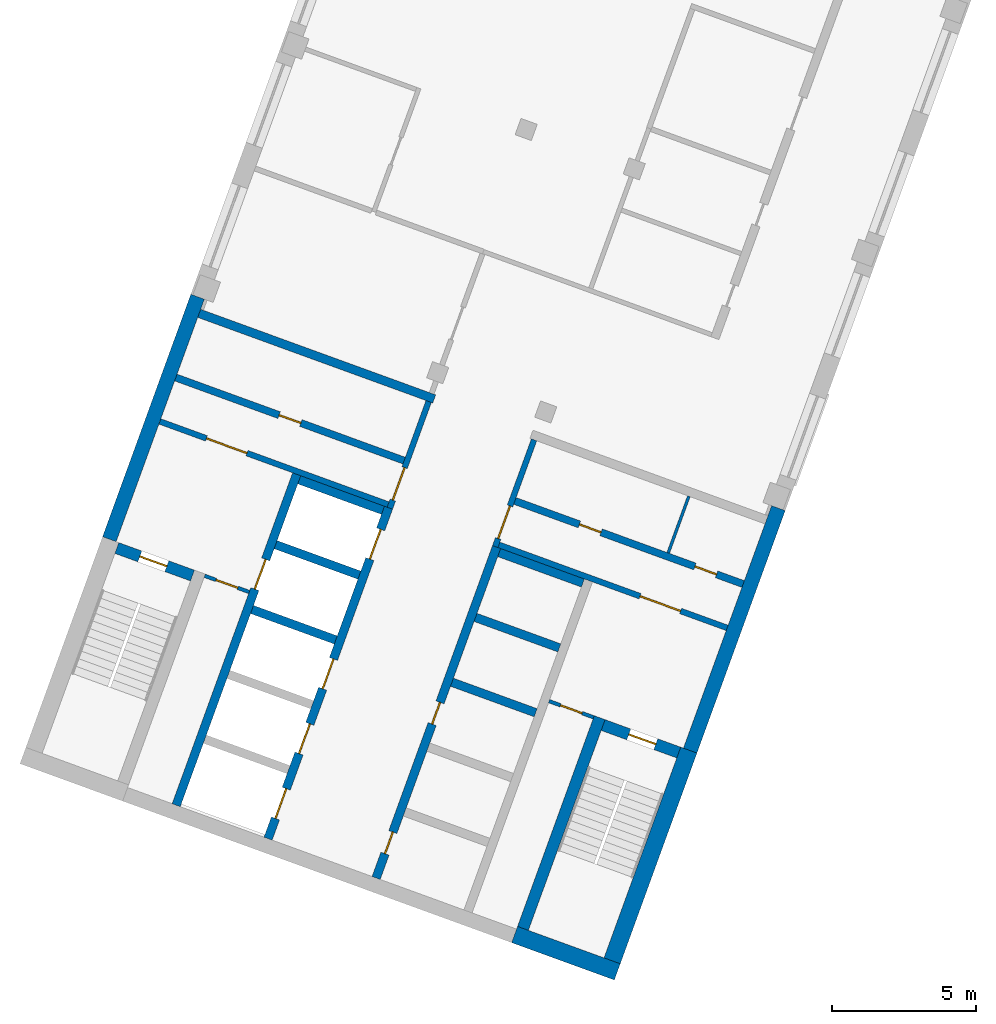
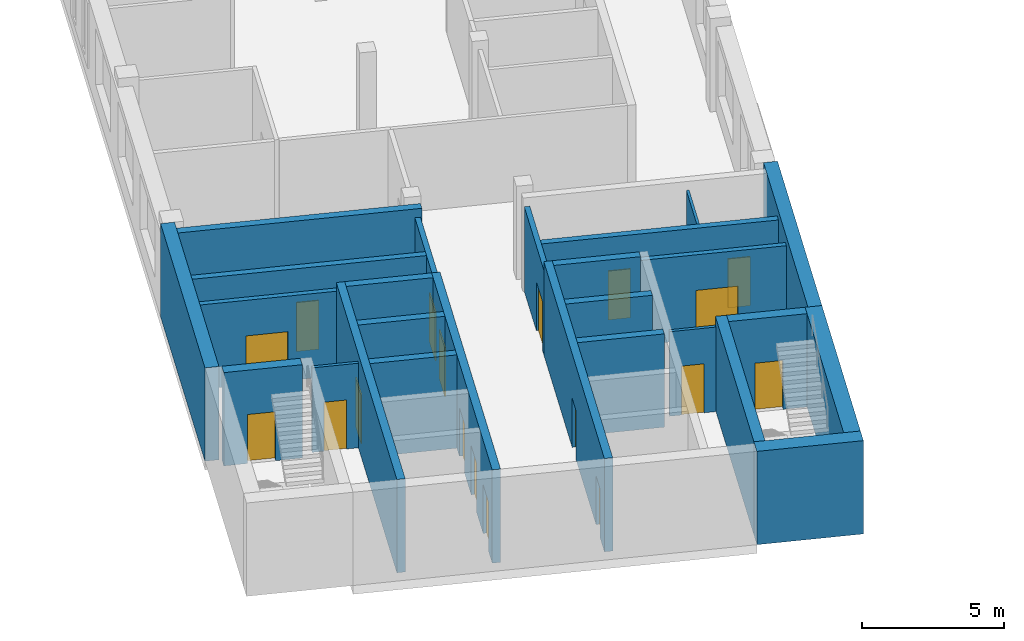
# One storey, part 2 of 8: 26 walls, 18 doors, 18 openings.
"""IFC4 building model written with IfcOpenShell, lengths in metres."""

from ifc_helpers import new_model, si_unit, direction, frame, frame_2d, origin, place, context, subcontext, project, spatial, rectangle, extrude, material, layer, layer_set, type_object, element, fill, save


model = new_model("IFC4")

# Units and contexts
model_context = context("Model", 3, precision=1e-05, world=origin(), true_north=direction((0.0, 1.0)))
body_context = subcontext(model_context, "Body", "Model", "MODEL_VIEW")
ifc_project = project(units=[si_unit("LENGTHUNIT", "METRE"), si_unit("AREAUNIT", "SQUARE_METRE"), si_unit("VOLUMEUNIT", "CUBIC_METRE"), si_unit("PLANEANGLEUNIT", "RADIAN"), si_unit("MASSUNIT", "GRAM", prefix="KILO")], contexts=[model_context])

# Site, building, storey
site_placement = place(None, origin())
site = spatial("IfcSite", under=ifc_project, at=site_placement, CompositionType="ELEMENT")
building_placement = place(site_placement, origin())
building = spatial("IfcBuilding", under=site, at=building_placement, Name="Skarvind Civic Tower", CompositionType="ELEMENT")
storey_placement = place(building_placement, frame((0.0, 0.0, 220.0)))
storey = spatial("IfcBuildingStorey", under=building, at=storey_placement, Name="L52", CompositionType="ELEMENT", Elevation=220.0)

# Wall, opening, door
ifc_material_1 = material(Name="Fire-rated masonry partition", Category="masonry")
ifc_layer_1 = layer(ifc_material_1, 0.199951171875)
ifc_layer_set_1 = layer_set([ifc_layer_1], Name="Core enclosure wall 200")
wall_type_1 = type_object("IfcWallType", Name="Core enclosure wall 200", PredefinedType="PARTITIONING", material=ifc_layer_set_1)
wall_1_placement = place(storey_placement, frame((31.42724609375, 93.663330078125, 0.0), z_axis=(0.0, 0.0, 1.0), x_axis=(0.342030870568, 0.93968871632, 0.0)))
wall_1 = element("IfcWall", 1, at=wall_1_placement, inside=storey, type_object=wall_type_1, Name="Core wall C2", PredefinedType="PARTITIONING", context=body_context, shape_type="SweptSolid", body=[
    extrude(rectangle(XDim=3.9501953125, YDim=0.199951171875, at=frame_2d((1.97509765625, 0.0))), origin(), (0.0, 0.0, 1.0), 3.625),
])
opening_1_placement = place(wall_1_placement, frame((0.300048828125, 0.0, 0.0)))
opening_1 = element("IfcOpeningElement", 2, at=opening_1_placement, cuts=wall_1, Name="Opening D-L52-C2-07", PredefinedType="OPENING", context=body_context, shape_type="SweptSolid", body=[
    extrude(rectangle(XDim=1.199951171875, YDim=2.10009765625, at=frame_2d((0.60009765625, 1.050048828125))), frame((0.0, 0.10986328125, 0.0), z_axis=(0.0, -1.0, 0.0), x_axis=(1.0, 0.0, 0.0)), (0.0, 0.0, 1.0), 0.219970703125),
])
ifc_material_2 = material(Name="Fire-rated steel door", Category="steel")
door_type_1 = type_object("IfcDoorType", Name="Core lobby door 1200", OperationType="NOTDEFINED", PredefinedType="DOOR", material=ifc_material_2)
door_1_placement = place(opening_1_placement, origin())
door_1 = element("IfcDoor", 3, at=door_1_placement, inside=storey, type_object=door_type_1, Name="Fire door", OperationType="DOUBLE_DOOR_SINGLE_SWING", OverallHeight=2.10009765625, OverallWidth=1.199951171875, PredefinedType="DOOR", context=body_context, shape_type="SweptSolid", body=[
    extrude(rectangle(XDim=1.199951171875, YDim=2.10009765625, at=frame_2d((0.60009765625, 1.050048828125))), frame((0.0, 0.02490234375, 0.0), z_axis=(0.0, -1.0, 0.0), x_axis=(1.0, 0.0, 0.0)), (0.0, 0.0, 1.0), 0.050048828125),
])
fill(opening_1, door_1)

wall_2_placement = place(storey_placement, frame((23.42724609375, 96.681640625, 0.0), z_axis=(0.0, 0.0, 1.0), x_axis=(0.939690465531, -0.342026064782, 0.0)))
wall_2 = element("IfcWall", 4, at=wall_2_placement, inside=storey, type_object=wall_type_1, Name="Core wall C2", PredefinedType="PARTITIONING", context=body_context, shape_type="SweptSolid", body=[
    extrude(rectangle(XDim=8.449951171875, YDim=0.199951171875, at=frame_2d((4.22509765625, 0.0))), origin(), (0.0, 0.0, 1.0), 3.625),
])
opening_2_placement = place(wall_2_placement, frame((1.72509765625, 0.0, 0.0)))
opening_2 = element("IfcOpeningElement", 5, at=opening_2_placement, cuts=wall_2, Name="Opening D-L52-C2-08", PredefinedType="OPENING", context=body_context, shape_type="SweptSolid", body=[
    extrude(rectangle(XDim=1.5, YDim=2.10009765625, at=frame_2d((0.75, 1.050048828125))), frame((0.0, 0.10986328125, 0.0), z_axis=(0.0, -1.0, 0.0), x_axis=(1.0, 0.0, 0.0)), (0.0, 0.0, 1.0), 0.219970703125),
])
door_type_2 = type_object("IfcDoorType", Name="Fire door 1500", OperationType="NOTDEFINED", PredefinedType="DOOR", material=ifc_material_2)
door_2_placement = place(opening_2_placement, origin())
door_2 = element("IfcDoor", 6, at=door_2_placement, inside=storey, type_object=door_type_2, Name="Fire door", OperationType="DOUBLE_DOOR_SINGLE_SWING", OverallHeight=2.10009765625, OverallWidth=1.5, PredefinedType="DOOR", context=body_context, shape_type="SweptSolid", body=[
    extrude(rectangle(XDim=1.5, YDim=2.10009765625, at=frame_2d((0.75, 1.050048828125))), frame((0.0, 0.02490234375, 0.0), z_axis=(0.0, -1.0, 0.0), x_axis=(1.0, 0.0, 0.0)), (0.0, 0.0, 1.0), 0.050048828125),
])
fill(opening_2, door_2)

wall_3_placement = place(storey_placement, frame((36.443115234375, 96.041259765625, 0.0), z_axis=(0.0, 0.0, 1.0), x_axis=(-0.341996156931, -0.939701350773, 0.0)))
wall_3 = element("IfcWall", 7, at=wall_3_placement, inside=storey, type_object=wall_type_1, Name="Core wall C2", PredefinedType="PARTITIONING", context=body_context, shape_type="SweptSolid", body=[
    extrude(rectangle(XDim=3.949951171875, YDim=0.199951171875, at=frame_2d((1.97509765625, 0.0))), origin(), (0.0, 0.0, 1.0), 3.625),
])
opening_3_placement = place(wall_3_placement, frame((2.449951171875, 0.0, 0.0)))
opening_3 = element("IfcOpeningElement", 8, at=opening_3_placement, cuts=wall_3, Name="Opening D-L52-C2-12", PredefinedType="OPENING", context=body_context, shape_type="SweptSolid", body=[
    extrude(rectangle(XDim=1.199951171875, YDim=2.10009765625, at=frame_2d((0.60009765625, 1.050048828125))), frame((0.0, 0.10986328125, 0.0), z_axis=(0.0, -1.0, 0.0), x_axis=(1.0, 0.0, 0.0)), (0.0, 0.0, 1.0), 0.219970703125),
])
door_3_placement = place(opening_3_placement, origin())
door_3 = element("IfcDoor", 9, at=door_3_placement, inside=storey, type_object=door_type_1, Name="Fire door", OperationType="DOUBLE_DOOR_SINGLE_SWING", OverallHeight=2.10009765625, OverallWidth=1.199951171875, PredefinedType="DOOR", context=body_context, shape_type="SweptSolid", body=[
    extrude(rectangle(XDim=1.199951171875, YDim=2.10009765625, at=frame_2d((0.60009765625, 1.050048828125))), frame((0.0, 0.02490234375, 0.0), z_axis=(0.0, -1.0, 0.0), x_axis=(1.0, 0.0, 0.0)), (0.0, 0.0, 1.0), 0.050048828125),
])
fill(opening_3, door_3)

wall_4_placement = place(storey_placement, frame((35.22021484375, 92.389404296875, 0.0), z_axis=(0.0, 0.0, 1.0), x_axis=(0.939690465531, -0.342026064782, 0.0)))
wall_4 = element("IfcWall", 10, at=wall_4_placement, inside=storey, type_object=wall_type_1, Name="Core wall C2", PredefinedType="PARTITIONING", context=body_context, shape_type="SweptSolid", body=[
    extrude(rectangle(XDim=8.449951171875, YDim=0.199951171875, at=frame_2d((4.22509765625, 0.0))), origin(), (0.0, 0.0, 1.0), 3.625),
])
opening_4_placement = place(wall_4_placement, frame((5.22509765625, 0.0, 0.0)))
opening_4 = element("IfcOpeningElement", 11, at=opening_4_placement, cuts=wall_4, Name="Opening D-L52-C2-13", PredefinedType="OPENING", context=body_context, shape_type="SweptSolid", body=[
    extrude(rectangle(XDim=1.5, YDim=2.10009765625, at=frame_2d((0.75, 1.050048828125))), frame((0.0, 0.10986328125, 0.0), z_axis=(0.0, -1.0, 0.0), x_axis=(1.0, 0.0, 0.0)), (0.0, 0.0, 1.0), 0.219970703125),
])
door_4_placement = place(opening_4_placement, origin())
door_4 = element("IfcDoor", 12, at=door_4_placement, inside=storey, type_object=door_type_2, Name="Fire door", OperationType="DOUBLE_DOOR_SINGLE_SWING", OverallHeight=2.10009765625, OverallWidth=1.5, PredefinedType="DOOR", context=body_context, shape_type="SweptSolid", body=[
    extrude(rectangle(XDim=1.5, YDim=2.10009765625, at=frame_2d((0.75, 1.050048828125))), frame((0.0, 0.02490234375, 0.0), z_axis=(0.0, -1.0, 0.0), x_axis=(1.0, 0.0, 0.0)), (0.0, 0.0, 1.0), 0.050048828125),
])
fill(opening_4, door_4)

# Wall
ifc_material_3 = material(Name="Fire-rated plasterboard partition")
ifc_layer_2 = layer(ifc_material_3, 0.10009765625)
ifc_layer_set_2 = layer_set([ifc_layer_2], Name="Core partition wall 100")
wall_type_2 = type_object("IfcWallType", Name="Core partition wall 100", PredefinedType="PARTITIONING", material=ifc_layer_set_2)
wall_5_placement = place(storey_placement, frame((41.82763671875, 94.08154296875, 0.0), z_axis=(0.0, 0.0, 1.0), x_axis=(-0.342023078919, -0.939691552312, 0.0)))
element("IfcWall", 13, at=wall_5_placement, inside=storey, type_object=wall_type_2, Name="Core wall C2", PredefinedType="PARTITIONING", context=body_context, shape_type="SweptSolid", body=[
    extrude(rectangle(XDim=2.10009765625, YDim=0.10009765625, at=frame_2d((1.050048828125, 0.0))), origin(), (0.0, 0.0, 1.0), 3.625),
])

# Wall, openings, doors
ifc_material_4 = material(Name="Concrete C60", Category="concrete")
ifc_layer_3 = layer(ifc_material_4, 0.300048828125)
ifc_layer_set_3 = layer_set([ifc_layer_3], Name="Core wall 300 C60")
wall_type_3 = type_object("IfcWallType", Name="Core wall 300 C60", PredefinedType="SHEAR", material=ifc_layer_set_3)
wall_6_placement = place(storey_placement, frame((30.949462890625, 80.80126953125, 0.0), z_axis=(0.0, 0.0, 1.0), x_axis=(0.342016684409, 0.939693879721, 0.0)))
wall_6 = element("IfcWall", 14, at=wall_6_placement, inside=storey, type_object=wall_type_3, Name="Core wall C2 south lift row front L52", PredefinedType="SHEAR", context=body_context, shape_type="SweptSolid", body=[
    extrude(rectangle(XDim=12.25, YDim=0.300048828125, at=frame_2d((6.125, 0.0))), origin(), (0.0, 0.0, 1.0), 4.0),
])
opening_5_placement = place(wall_6_placement, frame((0.89990234375, 0.0, 0.0)))
opening_5 = element("IfcOpeningElement", 15, at=opening_5_placement, cuts=wall_6, Name="Opening D-L52-C2-05", PredefinedType="OPENING", context=body_context, shape_type="SweptSolid", body=[
    extrude(rectangle(XDim=0.800048828125, YDim=2.10009765625, at=frame_2d((0.39990234375, 1.050048828125))), frame((0.0, 0.159912109375, 0.0), z_axis=(0.0, -1.0, 0.0), x_axis=(1.0, 0.0, 0.0)), (0.0, 0.0, 1.0), 0.320068359375),
])
opening_6_placement = place(wall_6_placement, frame((5.699951171875, 0.0, 0.0)))
opening_6 = element("IfcOpeningElement", 16, at=opening_6_placement, cuts=wall_6, Name="Opening D-L52-C2-06", PredefinedType="OPENING", context=body_context, shape_type="SweptSolid", body=[
    extrude(rectangle(XDim=0.800048828125, YDim=2.10009765625, at=frame_2d((0.39990234375, 1.050048828125))), frame((0.0, 0.159912109375, 0.0), z_axis=(0.0, -1.0, 0.0), x_axis=(1.0, 0.0, 0.0)), (0.0, 0.0, 1.0), 0.320068359375),
])
door_type_3 = type_object("IfcDoorType", Name="Core riser door 800", OperationType="NOTDEFINED", PredefinedType="DOOR", material=ifc_material_2)
door_5_placement = place(opening_5_placement, origin())
door_5 = element("IfcDoor", 17, at=door_5_placement, inside=storey, type_object=door_type_3, Name="Riser door", OperationType="SINGLE_SWING_LEFT", OverallHeight=2.10009765625, OverallWidth=0.800048828125, PredefinedType="DOOR", context=body_context, shape_type="SweptSolid", body=[
    extrude(rectangle(XDim=0.800048828125, YDim=2.10009765625, at=frame_2d((0.39990234375, 1.050048828125))), frame((0.0, 0.02490234375, 0.0), z_axis=(0.0, -1.0, 0.0), x_axis=(1.0, 0.0, 0.0)), (0.0, 0.0, 1.0), 0.050048828125),
])
fill(opening_5, door_5)
door_6_placement = place(opening_6_placement, origin())
door_6 = element("IfcDoor", 18, at=door_6_placement, inside=storey, type_object=door_type_3, Name="Riser door", OperationType="SINGLE_SWING_RIGHT", OverallHeight=2.10009765625, OverallWidth=0.800048828125, PredefinedType="DOOR", context=body_context, shape_type="SweptSolid", body=[
    extrude(rectangle(XDim=0.800048828125, YDim=2.10009765625, at=frame_2d((0.39990234375, 1.050048828125))), frame((0.0, 0.02490234375, 0.0), z_axis=(0.0, -1.0, 0.0), x_axis=(1.0, 0.0, 0.0)), (0.0, 0.0, 1.0), 0.050048828125),
])
fill(opening_6, door_6)

# Walls
for number, where, z_axis, x_axis, name in (
    (19, (36.500244140625, 86.54931640625, 0.0), (0.0, 0.0, 1.0), (-0.939689908313, 0.342027595692, 0.0), "Core wall C2 south lift row division 3 L52"),
    (20, (37.321044921875, 88.8046875, 0.0), (0.0, 0.0, 1.0), (-0.939689908313, 0.342027595692, 0.0), "Core wall C2 south lift row division 4 L52"),
    (21, (38.141845703125, 91.059814453125, 0.0), (0.0, 0.0, 1.0), (-0.939689908313, 0.342027595692, 0.0), "Core wall C2 south lift row division 5 L52"),
):
    element("IfcWall", number, at=place(storey_placement, frame(where, z_axis=z_axis, x_axis=x_axis)), inside=storey, type_object=wall_type_3, Name=name, PredefinedType="SHEAR", context=body_context, shape_type="SweptSolid", body=[
        extrude(rectangle(XDim=3.10009765625, YDim=0.300048828125, at=frame_2d((1.550048828125, 0.0))), origin(), (0.0, 0.0, 1.0), 4.0),
    ])

# Wall, openings, doors
wall_7_placement = place(storey_placement, frame((27.190673828125, 82.169189453125, 0.0), z_axis=(0.0, 0.0, 1.0), x_axis=(0.342016684409, 0.939693879721, 0.0)))
wall_7 = element("IfcWall", 22, at=wall_7_placement, inside=storey, type_object=wall_type_3, Name="Core wall C2 north lift row front L52", PredefinedType="SHEAR", context=body_context, shape_type="SweptSolid", body=[
    extrude(rectangle(XDim=12.25, YDim=0.300048828125, at=frame_2d((6.125, 0.0))), origin(), (0.0, 0.0, 1.0), 4.0),
])
opening_7_placement = place(wall_7_placement, frame((0.75, 0.0, 0.0)))
opening_7 = element("IfcOpeningElement", 23, at=opening_7_placement, cuts=wall_7, Name="Opening LD54201", PredefinedType="OPENING", context=body_context, shape_type="SweptSolid", body=[
    extrude(rectangle(XDim=1.10009765625, YDim=2.10009765625, at=frame_2d((0.550048828125, 1.050048828125))), frame((0.0, 0.159912109375, 0.0), z_axis=(0.0, -1.0, 0.0), x_axis=(1.0, 0.0, 0.0)), (0.0, 0.0, 1.0), 0.320068359375),
])
opening_8_placement = place(wall_7_placement, frame((3.14990234375, 0.0, 0.0)))
opening_8 = element("IfcOpeningElement", 24, at=opening_8_placement, cuts=wall_7, Name="Opening LD54202", PredefinedType="OPENING", context=body_context, shape_type="SweptSolid", body=[
    extrude(rectangle(XDim=1.10009765625, YDim=2.10009765625, at=frame_2d((0.550048828125, 1.050048828125))), frame((0.0, 0.159912109375, 0.0), z_axis=(0.0, -1.0, 0.0), x_axis=(1.0, 0.0, 0.0)), (0.0, 0.0, 1.0), 0.320068359375),
])
opening_9_placement = place(wall_7_placement, frame((5.550048828125, 0.0, 0.0)))
opening_9 = element("IfcOpeningElement", 25, at=opening_9_placement, cuts=wall_7, Name="Opening LD54203", PredefinedType="OPENING", context=body_context, shape_type="SweptSolid", body=[
    extrude(rectangle(XDim=1.10009765625, YDim=2.10009765625, at=frame_2d((0.550048828125, 1.050048828125))), frame((0.0, 0.159912109375, 0.0), z_axis=(0.0, -1.0, 0.0), x_axis=(1.0, 0.0, 0.0)), (0.0, 0.0, 1.0), 0.320068359375),
])
opening_10_placement = place(wall_7_placement, frame((10.35009765625, 0.0, 0.0)))
opening_10 = element("IfcOpeningElement", 26, at=opening_10_placement, cuts=wall_7, Name="Opening LD54205", PredefinedType="OPENING", context=body_context, shape_type="SweptSolid", body=[
    extrude(rectangle(XDim=1.10009765625, YDim=2.10009765625, at=frame_2d((0.550048828125, 1.050048828125))), frame((0.0, 0.159912109375, 0.0), z_axis=(0.0, -1.0, 0.0), x_axis=(1.0, 0.0, 0.0)), (0.0, 0.0, 1.0), 0.320068359375),
])
ifc_material_5 = material(Name="Stainless steel landing door", Category="steel")
door_type_4 = type_object("IfcDoorType", Name="Lift landing door 1100", OperationType="DOUBLE_DOOR_SLIDING", PredefinedType="DOOR", material=ifc_material_5)
door_7_placement = place(opening_7_placement, origin())
door_7 = element("IfcDoor", 27, at=door_7_placement, inside=storey, type_object=door_type_4, Name="Lift landing door", OperationType="DOUBLE_DOOR_SLIDING", OverallHeight=2.10009765625, OverallWidth=1.10009765625, PredefinedType="DOOR", context=body_context, shape_type="SweptSolid", body=[
    extrude(rectangle(XDim=1.10009765625, YDim=2.10009765625, at=frame_2d((0.550048828125, 1.050048828125))), frame((0.0, 0.02490234375, 0.0), z_axis=(0.0, -1.0, 0.0), x_axis=(1.0, 0.0, 0.0)), (0.0, 0.0, 1.0), 0.050048828125),
])
fill(opening_7, door_7)
door_8_placement = place(opening_8_placement, origin())
door_8 = element("IfcDoor", 28, at=door_8_placement, inside=storey, type_object=door_type_4, Name="Lift landing door", OperationType="DOUBLE_DOOR_SLIDING", OverallHeight=2.10009765625, OverallWidth=1.10009765625, PredefinedType="DOOR", context=body_context, shape_type="SweptSolid", body=[
    extrude(rectangle(XDim=1.10009765625, YDim=2.10009765625, at=frame_2d((0.550048828125, 1.050048828125))), frame((0.0, 0.02490234375, 0.0), z_axis=(0.0, -1.0, 0.0), x_axis=(1.0, 0.0, 0.0)), (0.0, 0.0, 1.0), 0.050048828125),
])
fill(opening_8, door_8)
door_9_placement = place(opening_9_placement, origin())
door_9 = element("IfcDoor", 29, at=door_9_placement, inside=storey, type_object=door_type_4, Name="Lift landing door", OperationType="DOUBLE_DOOR_SLIDING", OverallHeight=2.10009765625, OverallWidth=1.10009765625, PredefinedType="DOOR", context=body_context, shape_type="SweptSolid", body=[
    extrude(rectangle(XDim=1.10009765625, YDim=2.10009765625, at=frame_2d((0.550048828125, 1.050048828125))), frame((0.0, 0.02490234375, 0.0), z_axis=(0.0, -1.0, 0.0), x_axis=(1.0, 0.0, 0.0)), (0.0, 0.0, 1.0), 0.050048828125),
])
fill(opening_9, door_9)
door_10_placement = place(opening_10_placement, origin())
door_10 = element("IfcDoor", 30, at=door_10_placement, inside=storey, type_object=door_type_4, Name="Lift landing door", OperationType="DOUBLE_DOOR_SLIDING", OverallHeight=2.10009765625, OverallWidth=1.10009765625, PredefinedType="DOOR", context=body_context, shape_type="SweptSolid", body=[
    extrude(rectangle(XDim=1.10009765625, YDim=2.10009765625, at=frame_2d((0.550048828125, 1.050048828125))), frame((0.0, 0.02490234375, 0.0), z_axis=(0.0, -1.0, 0.0), x_axis=(1.0, 0.0, 0.0)), (0.0, 0.0, 1.0), 0.050048828125),
])
fill(opening_10, door_10)

# Wall, opening, door
wall_8_placement = place(storey_placement, frame((23.99560546875, 83.33203125, 0.0), z_axis=(0.0, 0.0, 1.0), x_axis=(0.342016684409, 0.939693879721, 0.0)))
wall_8 = element("IfcWall", 31, at=wall_8_placement, inside=storey, type_object=wall_type_3, Name="Core wall C2 north lift row back L52", PredefinedType="SHEAR", context=body_context, shape_type="SweptSolid", body=[
    extrude(rectangle(XDim=12.25, YDim=0.300048828125, at=frame_2d((6.125, 0.0))), origin(), (0.0, 0.0, 1.0), 4.0),
])
opening_11_placement = place(wall_8_placement, frame((8.0, 0.0, 0.0)))
opening_11 = element("IfcOpeningElement", 32, at=opening_11_placement, cuts=wall_8, Name="Opening LD54204", PredefinedType="OPENING", context=body_context, shape_type="SweptSolid", body=[
    extrude(rectangle(XDim=1.10009765625, YDim=2.10009765625, at=frame_2d((0.550048828125, 1.050048828125))), frame((0.0, 0.159912109375, 0.0), z_axis=(0.0, -1.0, 0.0), x_axis=(1.0, 0.0, 0.0)), (0.0, 0.0, 1.0), 0.320068359375),
])
door_11_placement = place(opening_11_placement, origin())
door_11 = element("IfcDoor", 33, at=door_11_placement, inside=storey, type_object=door_type_4, Name="Lift landing door", OperationType="DOUBLE_DOOR_SLIDING", OverallHeight=2.10009765625, OverallWidth=1.10009765625, PredefinedType="DOOR", context=body_context, shape_type="SweptSolid", body=[
    extrude(rectangle(XDim=1.10009765625, YDim=2.10009765625, at=frame_2d((0.550048828125, 1.050048828125))), frame((0.0, 0.02490234375, 0.0), z_axis=(0.0, -1.0, 0.0), x_axis=(1.0, 0.0, 0.0)), (0.0, 0.0, 1.0), 0.050048828125),
])
fill(opening_11, door_11)

# Walls
wall_9_placement = place(storey_placement, frame((29.54638671875, 89.080322265625, 0.0), z_axis=(0.0, 0.0, 1.0), x_axis=(-0.939689908313, 0.342027595692, 0.0)))
element("IfcWall", 34, at=wall_9_placement, inside=storey, type_object=wall_type_3, Name="Core wall C2 north lift row division 3 L52", PredefinedType="SHEAR", context=body_context, shape_type="SweptSolid", body=[
    extrude(rectangle(XDim=3.10009765625, YDim=0.300048828125, at=frame_2d((1.550048828125, 0.0))), origin(), (0.0, 0.0, 1.0), 4.0),
])
for number, where, z_axis, x_axis, name in (
    (35, (30.3671875, 91.335693359375, 0.0), (0.0, 0.0, 1.0), (-0.939715217871, 0.341958051961, 0.0), "Core wall C2 north lift row division 4 L52"),
    (36, (31.18798828125, 93.5908203125, 0.0), (0.0, 0.0, 1.0), (-0.939680694448, 0.342052908892, 0.0), "Core wall C2 north lift row division 5 L52"),
):
    element("IfcWall", number, at=place(storey_placement, frame(where, z_axis=z_axis, x_axis=x_axis)), inside=storey, type_object=wall_type_3, Name=name, PredefinedType="SHEAR", context=body_context, shape_type="SweptSolid", body=[
        extrude(rectangle(XDim=3.099853515625, YDim=0.300048828125, at=frame_2d((1.5498046875, 0.0))), origin(), (0.0, 0.0, 1.0), 4.0),
    ])
wall_10_placement = place(storey_placement, frame((32.970703125, 97.46484375, 0.0), z_axis=(0.0, 0.0, 1.0), x_axis=(-0.939695066972, 0.34201342241, 0.0)))
element("IfcWall", 37, at=wall_10_placement, inside=storey, type_object=wall_type_3, Name="Core wall C2 north inner face L52", PredefinedType="SHEAR", context=body_context, shape_type="SweptSolid", body=[
    extrude(rectangle(XDim=8.7001953125, YDim=0.300048828125, at=frame_2d((4.35009765625, 0.0))), origin(), (0.0, 0.0, 1.0), 4.0),
])
ifc_layer_4 = layer(ifc_material_4, 0.39990234375)
ifc_layer_set_4 = layer_set([ifc_layer_4], Name="Core wall 400 C60")
wall_type_4 = type_object("IfcWallType", Name="Core wall 400 C60", PredefinedType="SHEAR", material=ifc_layer_set_4)
wall_11_placement = place(storey_placement, frame((36.057861328125, 79.04833984375, 0.0), z_axis=(0.0, 0.0, 1.0), x_axis=(0.342016982193, 0.939693771338, 0.0)))
element("IfcWall", 38, at=wall_11_placement, inside=storey, type_object=wall_type_4, Name="Core wall C2 south stair inner L52", PredefinedType="SHEAR", context=body_context, shape_type="SweptSolid", body=[
    extrude(rectangle(XDim=7.800048828125, YDim=0.39990234375, at=frame_2d((3.89990234375, 0.0))), origin(), (0.0, 0.0, 1.0), 4.0),
])

# Wall, opening, door
wall_12_placement = place(storey_placement, frame((41.476318359375, 85.163818359375, 0.0), z_axis=(0.0, 0.0, 1.0), x_axis=(-0.939678810556, 0.342058084236, 0.0)))
wall_12 = element("IfcWall", 39, at=wall_12_placement, inside=storey, type_object=wall_type_4, Name="Core wall C2 south stair end L52", PredefinedType="SHEAR", context=body_context, shape_type="SweptSolid", body=[
    extrude(rectangle(XDim=2.800048828125, YDim=0.39990234375, at=frame_2d((1.39990234375, 0.0))), origin(), (0.0, 0.0, 1.0), 4.0),
])
opening_12_placement = place(wall_12_placement, frame((0.85009765625, 0.0, 0.0)))
opening_12 = element("IfcOpeningElement", 40, at=opening_12_placement, cuts=wall_12, Name="Opening D-L52-C2-14", PredefinedType="OPENING", context=body_context, shape_type="SweptSolid", body=[
    extrude(rectangle(XDim=1.0, YDim=2.10009765625, at=frame_2d((0.5, 1.050048828125))), frame((0.0, 0.2099609375, 0.0), z_axis=(0.0, -1.0, 0.0), x_axis=(1.0, 0.0, 0.0)), (0.0, 0.0, 1.0), 0.419921875),
])
door_type_5 = type_object("IfcDoorType", Name="Fire door 1000", OperationType="NOTDEFINED", PredefinedType="DOOR", material=ifc_material_2)
door_12_placement = place(opening_12_placement, origin())
door_12 = element("IfcDoor", 41, at=door_12_placement, inside=storey, type_object=door_type_5, Name="Fire door", OperationType="SINGLE_SWING_RIGHT", OverallHeight=2.10009765625, OverallWidth=1.0, PredefinedType="DOOR", context=body_context, shape_type="SweptSolid", body=[
    extrude(rectangle(XDim=1.0, YDim=2.10009765625, at=frame_2d((0.5, 1.050048828125))), frame((0.0, 0.02490234375, 0.0), z_axis=(0.0, -1.0, 0.0), x_axis=(1.0, 0.0, 0.0)), (0.0, 0.0, 1.0), 0.050048828125),
])
fill(opening_12, door_12)

wall_13_placement = place(storey_placement, frame((24.56201171875, 91.3203125, 0.0), z_axis=(0.0, 0.0, 1.0), x_axis=(-0.939717030584, 0.341953070509, 0.0)))
wall_13 = element("IfcWall", 42, at=wall_13_placement, inside=storey, type_object=wall_type_4, Name="Core wall C2 north stair end L52", PredefinedType="SHEAR", context=body_context, shape_type="SweptSolid", body=[
    extrude(rectangle(XDim=2.800048828125, YDim=0.39990234375, at=frame_2d((1.39990234375, 0.0))), origin(), (0.0, 0.0, 1.0), 4.0),
])
opening_13_placement = place(wall_13_placement, frame((0.949951171875, 0.0, 0.0)))
opening_13 = element("IfcOpeningElement", 43, at=opening_13_placement, cuts=wall_13, Name="Opening D-L52-C2-09", PredefinedType="OPENING", context=body_context, shape_type="SweptSolid", body=[
    extrude(rectangle(XDim=1.0, YDim=2.10009765625, at=frame_2d((0.5, 1.050048828125))), frame((0.0, 0.2099609375, 0.0), z_axis=(0.0, -1.0, 0.0), x_axis=(1.0, 0.0, 0.0)), (0.0, 0.0, 1.0), 0.419921875),
])
door_13_placement = place(opening_13_placement, origin())
door_13 = element("IfcDoor", 44, at=door_13_placement, inside=storey, type_object=door_type_5, Name="Fire door", OperationType="SINGLE_SWING_LEFT", OverallHeight=2.10009765625, OverallWidth=1.0, PredefinedType="DOOR", context=body_context, shape_type="SweptSolid", body=[
    extrude(rectangle(XDim=1.0, YDim=2.10009765625, at=frame_2d((0.5, 1.050048828125))), frame((0.0, 0.02490234375, 0.0), z_axis=(0.0, -1.0, 0.0), x_axis=(1.0, 0.0, 0.0)), (0.0, 0.0, 1.0), 0.050048828125),
])
fill(opening_13, door_13)

# Walls
ifc_layer_5 = layer(ifc_material_4, 0.5)
ifc_layer_set_5 = layer_set([ifc_layer_5], Name="Core wall 500 C60")
wall_type_5 = type_object("IfcWallType", Name="Core wall 500 C60", PredefinedType="SHEAR", material=ifc_layer_set_5)
wall_14_placement = place(storey_placement, frame((41.873779296875, 85.232177734375, 0.0), z_axis=(0.0, 0.0, 1.0), x_axis=(0.342020437038, 0.939692513883, 0.0)))
element("IfcWall", 45, at=wall_14_placement, inside=storey, type_object=wall_type_5, Name="Core wall C2 south side L52", PredefinedType="SHEAR", context=body_context, shape_type="SweptSolid", body=[
    extrude(rectangle(XDim=8.974853515625, YDim=0.5, at=frame_2d((4.4873046875, 0.0))), origin(), (0.0, 0.0, 1.0), 4.0),
])
wall_15_placement = place(storey_placement, frame((21.670166015625, 92.58544921875, 0.0), z_axis=(0.0, 0.0, 1.0), x_axis=(0.342035714298, 0.93968695327, 0.0)))
element("IfcWall", 46, at=wall_15_placement, inside=storey, type_object=wall_type_5, Name="Core wall C2 north side L52", PredefinedType="SHEAR", context=body_context, shape_type="SweptSolid", body=[
    extrude(rectangle(XDim=8.97509765625, YDim=0.5, at=frame_2d((4.487548828125, 0.0))), origin(), (0.0, 0.0, 1.0), 4.0),
])
ifc_layer_6 = layer(ifc_material_4, 0.60009765625)
ifc_layer_set_6 = layer_set([ifc_layer_6], Name="Core wall 600 C60")
wall_type_6 = type_object("IfcWallType", Name="Core wall 600 C60", PredefinedType="SHEAR", material=ifc_layer_set_6)
wall_16_placement = place(storey_placement, frame((39.338134765625, 77.53515625, 0.0), z_axis=(0.0, 0.0, 1.0), x_axis=(-0.939701471648, 0.341995824804, 0.0)))
element("IfcWall", 47, at=wall_16_placement, inside=storey, type_object=wall_type_6, Name="Core wall C2 tip at the south stair L52", PredefinedType="SHEAR", context=body_context, shape_type="SweptSolid", body=[
    extrude(rectangle(XDim=3.800048828125, YDim=0.60009765625, at=frame_2d((1.89990234375, 0.0))), origin(), (0.0, 0.0, 1.0), 4.0),
])
wall_17_placement = place(storey_placement, frame((39.158935546875, 77.919677734375, 0.0), z_axis=(0.0, 0.0, 1.0), x_axis=(0.342016982193, 0.939693771338, 0.0)))
element("IfcWall", 48, at=wall_17_placement, inside=storey, type_object=wall_type_6, Name="Core wall C2 south side at the stair L52", PredefinedType="SHEAR", context=body_context, shape_type="SweptSolid", body=[
    extrude(rectangle(XDim=7.800048828125, YDim=0.60009765625, at=frame_2d((3.89990234375, 0.0))), origin(), (0.0, 0.0, 1.0), 4.0),
])

# Wall, opening, door
ifc_layer_7 = layer(ifc_material_1, 0.125)
ifc_layer_set_7 = layer_set([ifc_layer_7], Name="Riser wall 125")
wall_type_7 = type_object("IfcWallType", Name="Riser wall 125", PredefinedType="PARTITIONING", material=ifc_layer_set_7)
wall_18_placement = place(storey_placement, frame((24.98486328125, 91.3125, 0.0), z_axis=(0.0, 0.0, 1.0), x_axis=(0.939719959755, -0.341945020783, 0.0)))
wall_18 = element("IfcWall", 49, at=wall_18_placement, inside=storey, type_object=wall_type_7, Name="Core wall C2", PredefinedType="PARTITIONING", context=body_context, shape_type="SweptSolid", body=[
    extrude(rectangle(XDim=1.64990234375, YDim=0.125, at=frame_2d((0.824951171875, 0.0))), origin(), (0.0, 0.0, 1.0), 3.625),
])
opening_14_placement = place(wall_18_placement, frame((0.425048828125, 0.0, 0.0)))
opening_14 = element("IfcOpeningElement", 50, at=opening_14_placement, cuts=wall_18, Name="Opening D-L52-C2-10", PredefinedType="OPENING", context=body_context, shape_type="SweptSolid", body=[
    extrude(rectangle(XDim=0.800048828125, YDim=2.10009765625, at=frame_2d((0.39990234375, 1.050048828125))), frame((0.0, 0.072509765625, 0.0), z_axis=(0.0, -1.0, 0.0), x_axis=(1.0, 0.0, 0.0)), (0.0, 0.0, 1.0), 0.14501953125),
])
door_14_placement = place(opening_14_placement, origin())
door_14 = element("IfcDoor", 51, at=door_14_placement, inside=storey, type_object=door_type_3, Name="Riser door", OperationType="SINGLE_SWING_RIGHT", OverallHeight=2.10009765625, OverallWidth=0.800048828125, PredefinedType="DOOR", context=body_context, shape_type="SweptSolid", body=[
    extrude(rectangle(XDim=0.800048828125, YDim=2.10009765625, at=frame_2d((0.39990234375, 1.050048828125))), frame((0.0, 0.02490234375, 0.0), z_axis=(0.0, -1.0, 0.0), x_axis=(1.0, 0.0, 0.0)), (0.0, 0.0, 1.0), 0.050048828125),
])
fill(opening_14, door_14)

wall_19_placement = place(storey_placement, frame((36.9658203125, 86.951904296875, 0.0), z_axis=(0.0, 0.0, 1.0), x_axis=(0.939672407396, -0.342075674051, 0.0)))
wall_19 = element("IfcWall", 52, at=wall_19_placement, inside=storey, type_object=wall_type_7, Name="Core wall C2", PredefinedType="PARTITIONING", context=body_context, shape_type="SweptSolid", body=[
    extrude(rectangle(XDim=1.650146484375, YDim=0.125, at=frame_2d((0.8251953125, 0.0))), origin(), (0.0, 0.0, 1.0), 3.625),
])
opening_15_placement = place(wall_19_placement, frame((0.425048828125, 0.0, 0.0)))
opening_15 = element("IfcOpeningElement", 53, at=opening_15_placement, cuts=wall_19, Name="Opening D-L52-C2-15", PredefinedType="OPENING", context=body_context, shape_type="SweptSolid", body=[
    extrude(rectangle(XDim=0.800048828125, YDim=2.10009765625, at=frame_2d((0.39990234375, 1.050048828125))), frame((0.0, 0.072509765625, 0.0), z_axis=(0.0, -1.0, 0.0), x_axis=(1.0, 0.0, 0.0)), (0.0, 0.0, 1.0), 0.14501953125),
])
door_15_placement = place(opening_15_placement, origin())
door_15 = element("IfcDoor", 54, at=door_15_placement, inside=storey, type_object=door_type_3, Name="Riser door", OperationType="SINGLE_SWING_LEFT", OverallHeight=2.10009765625, OverallWidth=0.800048828125, PredefinedType="DOOR", context=body_context, shape_type="SweptSolid", body=[
    extrude(rectangle(XDim=0.800048828125, YDim=2.10009765625, at=frame_2d((0.39990234375, 1.050048828125))), frame((0.0, 0.02490234375, 0.0), z_axis=(0.0, -1.0, 0.0), x_axis=(1.0, 0.0, 0.0)), (0.0, 0.0, 1.0), 0.050048828125),
])
fill(opening_15, door_15)

ifc_layer_8 = layer(ifc_material_1, 0.25)
ifc_layer_set_8 = layer_set([ifc_layer_8], Name="Service block wall 250")
wall_type_8 = type_object("IfcWallType", Name="Service block wall 250", PredefinedType="PARTITIONING", material=ifc_layer_set_8)
wall_20_placement = place(storey_placement, frame((23.98291015625, 98.20849609375, 0.0), z_axis=(0.0, 0.0, 1.0), x_axis=(0.939699751196, -0.342000552051, 0.0)))
wall_20 = element("IfcWall", 55, at=wall_20_placement, inside=storey, type_object=wall_type_8, Name="Core wall C2", PredefinedType="PARTITIONING", context=body_context, shape_type="SweptSolid", body=[
    extrude(rectangle(XDim=8.449951171875, YDim=0.25, at=frame_2d((4.22509765625, 0.0))), origin(), (0.0, 0.0, 1.0), 3.625),
])
opening_16_placement = place(wall_20_placement, frame((3.824951171875, 0.0, 0.0)))
opening_16 = element("IfcOpeningElement", 56, at=opening_16_placement, cuts=wall_20, Name="Opening D-L52-C2-11", PredefinedType="OPENING", context=body_context, shape_type="SweptSolid", body=[
    extrude(rectangle(XDim=0.800048828125, YDim=2.10009765625, at=frame_2d((0.39990234375, 1.050048828125))), frame((0.0, 0.135009765625, 0.0), z_axis=(0.0, -1.0, 0.0), x_axis=(1.0, 0.0, 0.0)), (0.0, 0.0, 1.0), 0.27001953125),
])
door_16_placement = place(opening_16_placement, origin())
door_16 = element("IfcDoor", 57, at=door_16_placement, inside=storey, type_object=door_type_3, Name="Riser door", OperationType="SINGLE_SWING_LEFT", OverallHeight=2.10009765625, OverallWidth=0.800048828125, PredefinedType="DOOR", context=body_context, shape_type="SweptSolid", body=[
    extrude(rectangle(XDim=0.800048828125, YDim=2.10009765625, at=frame_2d((0.39990234375, 1.050048828125))), frame((0.0, 0.02490234375, 0.0), z_axis=(0.0, -1.0, 0.0), x_axis=(1.0, 0.0, 0.0)), (0.0, 0.0, 1.0), 0.050048828125),
])
fill(opening_16, door_16)

# Wall, openings, doors
wall_21_placement = place(storey_placement, frame((35.776123046875, 93.916259765625, 0.0), z_axis=(0.0, 0.0, 1.0), x_axis=(0.939690465531, -0.342026064782, 0.0)))
wall_21 = element("IfcWall", 58, at=wall_21_placement, inside=storey, type_object=wall_type_8, Name="Core wall C2", PredefinedType="PARTITIONING", context=body_context, shape_type="SweptSolid", body=[
    extrude(rectangle(XDim=8.449951171875, YDim=0.25, at=frame_2d((4.22509765625, 0.0))), origin(), (0.0, 0.0, 1.0), 3.625),
])
opening_17_placement = place(wall_21_placement, frame((2.389892578125, 0.0, 0.0)))
opening_17 = element("IfcOpeningElement", 59, at=opening_17_placement, cuts=wall_21, Name="Opening D-L52-C2-16", PredefinedType="OPENING", context=body_context, shape_type="SweptSolid", body=[
    extrude(rectangle(XDim=0.800048828125, YDim=2.10009765625, at=frame_2d((0.39990234375, 1.050048828125))), frame((0.0, 0.135009765625, 0.0), z_axis=(0.0, -1.0, 0.0), x_axis=(1.0, 0.0, 0.0)), (0.0, 0.0, 1.0), 0.27001953125),
])
opening_18_placement = place(wall_21_placement, frame((6.6650390625, 0.0, 0.0)))
opening_18 = element("IfcOpeningElement", 60, at=opening_18_placement, cuts=wall_21, Name="Opening D-L52-C2-17", PredefinedType="OPENING", context=body_context, shape_type="SweptSolid", body=[
    extrude(rectangle(XDim=0.800048828125, YDim=2.10009765625, at=frame_2d((0.39990234375, 1.050048828125))), frame((0.0, 0.135009765625, 0.0), z_axis=(0.0, -1.0, 0.0), x_axis=(1.0, 0.0, 0.0)), (0.0, 0.0, 1.0), 0.27001953125),
])
door_17_placement = place(opening_17_placement, origin())
door_17 = element("IfcDoor", 61, at=door_17_placement, inside=storey, type_object=door_type_3, Name="Riser door", OperationType="SINGLE_SWING_RIGHT", OverallHeight=2.10009765625, OverallWidth=0.800048828125, PredefinedType="DOOR", context=body_context, shape_type="SweptSolid", body=[
    extrude(rectangle(XDim=0.800048828125, YDim=2.10009765625, at=frame_2d((0.39990234375, 1.050048828125))), frame((0.0, 0.02490234375, 0.0), z_axis=(0.0, -1.0, 0.0), x_axis=(1.0, 0.0, 0.0)), (0.0, 0.0, 1.0), 0.050048828125),
])
fill(opening_17, door_17)
door_18_placement = place(opening_18_placement, origin())
door_18 = element("IfcDoor", 62, at=door_18_placement, inside=storey, type_object=door_type_3, Name="Riser door", OperationType="SINGLE_SWING_LEFT", OverallHeight=2.10009765625, OverallWidth=0.800048828125, PredefinedType="DOOR", context=body_context, shape_type="SweptSolid", body=[
    extrude(rectangle(XDim=0.800048828125, YDim=2.10009765625, at=frame_2d((0.39990234375, 1.050048828125))), frame((0.0, 0.02490234375, 0.0), z_axis=(0.0, -1.0, 0.0), x_axis=(1.0, 0.0, 0.0)), (0.0, 0.0, 1.0), 0.050048828125),
])
fill(opening_18, door_18)

save(model, "model.ifc")
